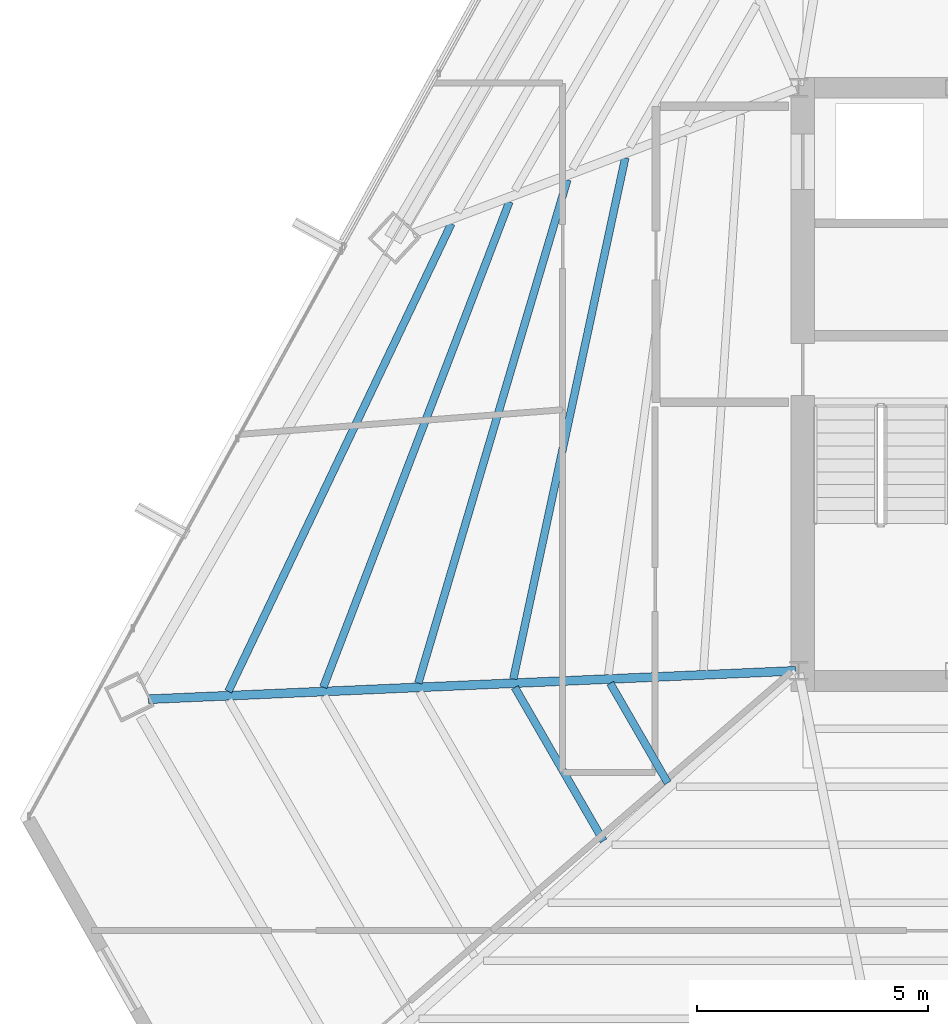
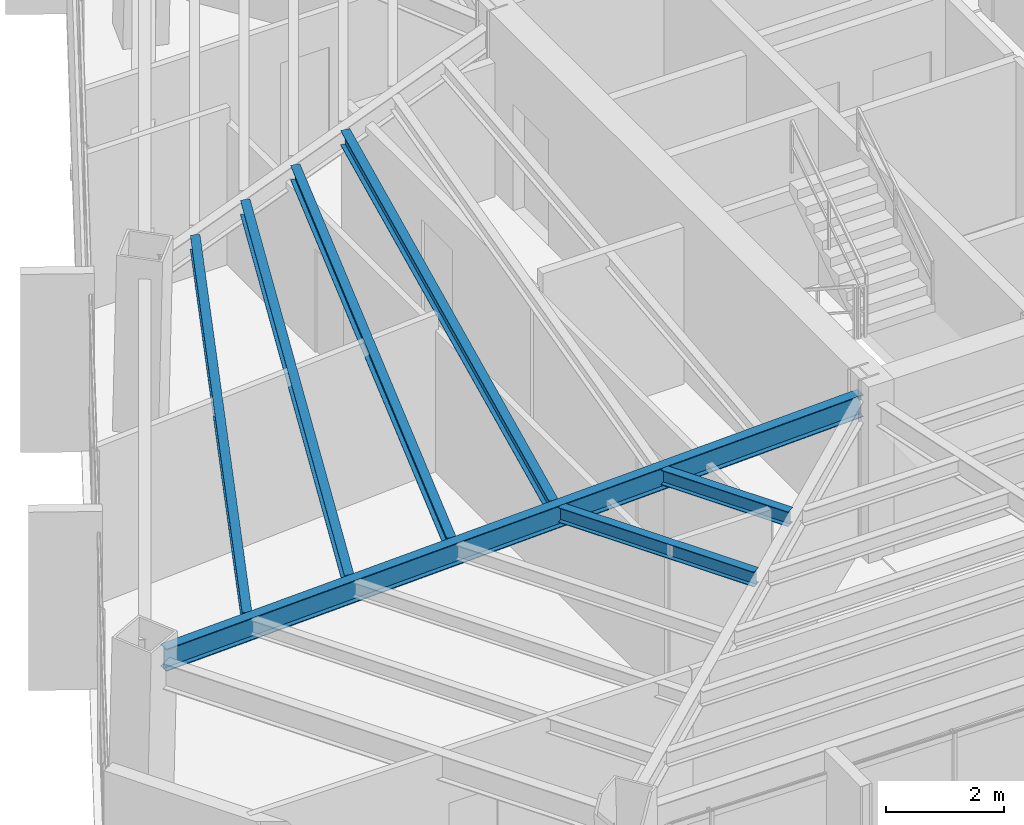
# One storey, part 8 of 40: 7 beams.
"""IFC4 building model written with IfcOpenShell, lengths in metres."""

from ifc_helpers import new_model, si_unit, direction, frame, origin, origin_2d, place, context, subcontext, project, spatial, i_section, extrude, source, transform, mapped, material, material_profile, profile_set, type_object, type_shapes, element, save


model = new_model("IFC4")

# Units and contexts
model_context = context("Model", 3, precision=1e-05, world=origin(), true_north=direction((0.0, 1.0)))
body_context = subcontext(model_context, "Body", "Model", "MODEL_VIEW")
ifc_project = project(units=[si_unit("LENGTHUNIT", "METRE"), si_unit("AREAUNIT", "SQUARE_METRE"), si_unit("VOLUMEUNIT", "CUBIC_METRE"), si_unit("PLANEANGLEUNIT", "RADIAN"), si_unit("MASSUNIT", "GRAM", prefix="KILO")], contexts=[model_context])

# Site, building, storey
site_placement = place(None, origin())
site = spatial("IfcSite", under=ifc_project, at=site_placement, CompositionType="ELEMENT")
building_placement = place(site_placement, origin())
building = spatial("IfcBuilding", under=site, at=building_placement, Name="Caelisora Broadcast Tower", CompositionType="ELEMENT")
storey_placement = place(building_placement, frame((0.0, 0.0, 216.89990234375)))
storey = spatial("IfcBuildingStorey", under=building, at=storey_placement, Name="L57", CompositionType="ELEMENT", Elevation=216.89990234375)

# Beams
ifc_material = material(Name="Steel Grade 350 (AS/NZS 3679.1)", Category="steel")
ifc_material_profile_1 = material_profile(ifc_material, i_section(OverallWidth=0.19091796875, OverallDepth=0.46044921875, WebThickness=0.010009765625, FlangeThickness=0.01611328125, at=origin_2d()), Name="Steel Grade 350 (AS/NZS 3679.1)")
ifc_profile_set_1 = profile_set([ifc_material_profile_1], Name="Steel Grade 350 (AS/NZS 3679.1)")
beam_type_1 = type_object("IfcBeamType", Name="PG06", PredefinedType="BEAM", material=ifc_profile_set_1)
shared_shape_1 = source(origin(), body_context, "Body", "SweptSolid", [
    extrude(i_section(OverallWidth=0.19091796875, OverallDepth=0.46044921875, WebThickness=0.010009765625, FlangeThickness=0.01611328125, at=origin_2d()), origin(), (0.0, 0.0, 1.0), 14.011474609375),
])
type_shapes(beam_type_1, [shared_shape_1])
beam_1_placement = place(storey_placement, frame((30.440185546875, 17.3974609375, 3.02001953125), z_axis=(-0.999038587335, -0.043839491519, 0.0), x_axis=(0.043839491519, -0.999038587335, 0.0)))
element("IfcBeam", 1, at=beam_1_placement, inside=storey, type_object=beam_type_1, Name="L57 beam PG06", PredefinedType="BEAM", context=body_context, shape_type="MappedRepresentation", body=[
    mapped(shared_shape_1, transform((0.0, 0.0, 0.0), scale=1.0)),
])
ifc_material_profile_2 = material_profile(ifc_material, i_section(OverallWidth=0.166015625, OverallDepth=0.30712890625, WebThickness=0.006591796875, FlangeThickness=0.01171875, at=origin_2d()), Name="Steel Grade 350 (AS/NZS 3679.1)")
ifc_profile_set_2 = profile_set([ifc_material_profile_2], Name="Steel Grade 350 (AS/NZS 3679.1)")
beam_type_2 = type_object("IfcBeamType", Name="SB03", PredefinedType="JOIST", material=ifc_profile_set_2)
shared_shape_2 = source(origin(), body_context, "Body", "SweptSolid", [
    extrude(i_section(OverallWidth=0.166015625, OverallDepth=0.30712890625, WebThickness=0.006591796875, FlangeThickness=0.01171875, at=origin_2d()), origin(), (0.0, 0.0, 1.0), 11.5185546875),
])
beam_2_placement = place(storey_placement, frame((26.752685546875, 28.48388671875, 3.096435546875), z_axis=(-0.209963318775, -0.977709263927, 0.0), x_axis=(0.977709263927, -0.209963318775, 0.0)))
element("IfcBeam", 2, at=beam_2_placement, inside=storey, type_object=beam_type_2, Name="L57 beam SB03", PredefinedType="JOIST", context=body_context, shape_type="MappedRepresentation", body=[
    mapped(shared_shape_2, transform((0.0, 0.0, 0.0), scale=1.0)),
])
shared_shape_3 = source(origin(), body_context, "Body", "SweptSolid", [
    extrude(i_section(OverallWidth=0.166015625, OverallDepth=0.30712890625, WebThickness=0.006591796875, FlangeThickness=0.01171875, at=origin_2d()), origin(), (0.0, 0.0, 1.0), 11.345458984375),
])
beam_3_placement = place(storey_placement, frame((25.501220703125, 28.0107421875, 3.096435546875), z_axis=(-0.283897097366, -0.958854753394, 0.0), x_axis=(0.958854753394, -0.283897097366, 0.0)))
element("IfcBeam", 3, at=beam_3_placement, inside=storey, type_object=beam_type_2, Name="L57 beam SB03", PredefinedType="JOIST", context=body_context, shape_type="MappedRepresentation", body=[
    mapped(shared_shape_3, transform((0.0, 0.0, 0.0), scale=1.0)),
])
shared_shape_4 = source(origin(), body_context, "Body", "SweptSolid", [
    extrude(i_section(OverallWidth=0.166015625, OverallDepth=0.30712890625, WebThickness=0.006591796875, FlangeThickness=0.01171875, at=origin_2d()), origin(), (0.0, 0.0, 1.0), 11.239013671875),
])
beam_4_placement = place(storey_placement, frame((24.248291015625, 27.536865234375, 3.096435546875), z_axis=(-0.35783468347, -0.933784953459, 0.0), x_axis=(0.933784953459, -0.35783468347, 0.0)))
element("IfcBeam", 4, at=beam_4_placement, inside=storey, type_object=beam_type_2, Name="L57 beam SB03", PredefinedType="JOIST", context=body_context, shape_type="MappedRepresentation", body=[
    mapped(shared_shape_4, transform((0.0, 0.0, 0.0), scale=1.0)),
])
shared_shape_5 = source(origin(), body_context, "Body", "SweptSolid", [
    extrude(i_section(OverallWidth=0.166015625, OverallDepth=0.30712890625, WebThickness=0.006591796875, FlangeThickness=0.01171875, at=origin_2d()), origin(), (0.0, 0.0, 1.0), 11.200439453125),
])
beam_5_placement = place(storey_placement, frame((22.99365234375, 27.062255859375, 3.096435546875), z_axis=(-0.430324442978, -0.902674289971, 0.0), x_axis=(0.902674289971, -0.430324442978, 0.0)))
element("IfcBeam", 5, at=beam_5_placement, inside=storey, type_object=beam_type_2, Name="L57 beam SB03", PredefinedType="JOIST", context=body_context, shape_type="MappedRepresentation", body=[
    mapped(shared_shape_5, transform((0.0, 0.0, 0.0), scale=1.0)),
])
shared_shape_6 = source(origin(), body_context, "Body", "SweptSolid", [
    extrude(i_section(OverallWidth=0.166015625, OverallDepth=0.30712890625, WebThickness=0.006591796875, FlangeThickness=0.01171875, at=origin_2d()), origin(), (0.0, 0.0, 1.0), 2.487548828125),
])
beam_6_placement = place(storey_placement, frame((26.428466796875, 17.12841796875, 3.096435546875), z_axis=(0.500033948781, -0.86600580256, 0.0), x_axis=(0.86600580256, 0.500033948781, 0.0)))
element("IfcBeam", 6, at=beam_6_placement, inside=storey, type_object=beam_type_2, Name="L57 beam SB03", PredefinedType="JOIST", context=body_context, shape_type="MappedRepresentation", body=[
    mapped(shared_shape_6, transform((0.0, 0.0, 0.0), scale=1.0)),
])
shared_shape_7 = source(origin(), body_context, "Body", "SweptSolid", [
    extrude(i_section(OverallWidth=0.166015625, OverallDepth=0.30712890625, WebThickness=0.006591796875, FlangeThickness=0.01171875, at=origin_2d()), origin(), (0.0, 0.0, 1.0), 3.8310546875),
])
type_shapes(beam_type_2, [shared_shape_2, shared_shape_3, shared_shape_4, shared_shape_5, shared_shape_6, shared_shape_7])
beam_7_placement = place(storey_placement, frame((24.36669921875, 17.037841796875, 3.096435546875), z_axis=(0.499990911512, -0.866030650962, 0.0), x_axis=(0.866030650962, 0.499990911512, 0.0)))
element("IfcBeam", 7, at=beam_7_placement, inside=storey, type_object=beam_type_2, Name="L57 beam SB03", PredefinedType="JOIST", context=body_context, shape_type="MappedRepresentation", body=[
    mapped(shared_shape_7, transform((0.0, 0.0, 0.0), scale=1.0)),
])

save(model, "model.ifc")
